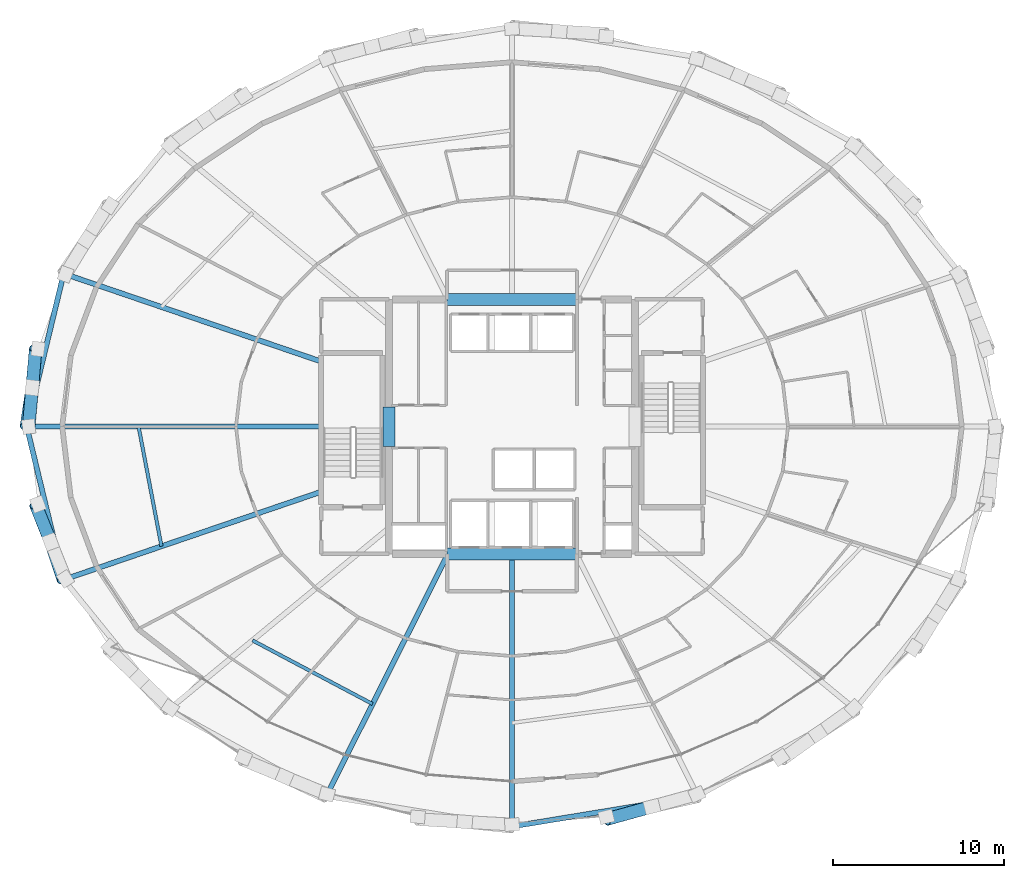
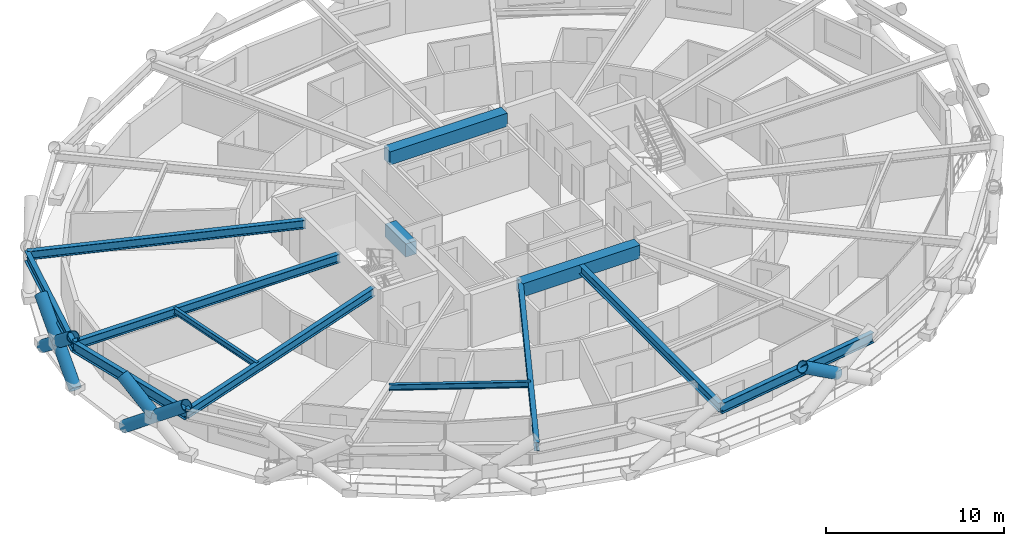
# One storey, part 5 of 20: 13 beams, 6 members.
"""IFC4 building model written with IfcOpenShell, lengths in metres."""

from ifc_helpers import new_model, si_unit, direction, frame, origin, origin_2d, place, context, subcontext, project, spatial, rectangle, hollow_circle, i_section, extrude, material, material_profile, profile_set, type_object, element, save


model = new_model("IFC4")

# Units and contexts
model_context = context("Model", 3, precision=1e-05, world=origin(), true_north=direction((0.0, 1.0)))
body_context = subcontext(model_context, "Body", "Model", "MODEL_VIEW")
ifc_project = project(units=[si_unit("LENGTHUNIT", "METRE"), si_unit("AREAUNIT", "SQUARE_METRE"), si_unit("VOLUMEUNIT", "CUBIC_METRE"), si_unit("PLANEANGLEUNIT", "RADIAN"), si_unit("MASSUNIT", "GRAM", prefix="KILO")], contexts=[model_context])

# Site, building, storey
site_placement = place(None, origin())
site = spatial("IfcSite", under=ifc_project, at=site_placement, CompositionType="ELEMENT")
building_placement = place(site_placement, origin())
building = spatial("IfcBuilding", under=site, at=building_placement, Name="Veldorina Hangang Commons", CompositionType="ELEMENT")
storey_placement = place(building_placement, frame((0.0, 0.0, 48.39990234375)))
storey = spatial("IfcBuildingStorey", under=building, at=storey_placement, Name="L11", CompositionType="ELEMENT", Elevation=48.39990234375)

# Beams
ifc_material_1 = material(Name="Concrete C70/85", Category="concrete")
ifc_material_profile_1 = material_profile(ifc_material_1, rectangle(XDim=0.699951171875, YDim=0.89990234375, at=origin_2d()), Name="RC-CB-700x900")
ifc_profile_set_1 = profile_set([ifc_material_profile_1], Name="Concrete C70/85")
beam_type_1 = type_object("IfcBeamType", Name="BM-CB900", PredefinedType="LINTEL", material=ifc_profile_set_1)
beam_1_placement = place(storey_placement, frame((24.800048828125, 22.85009765625, 2.89013671875), z_axis=(0.0, 1.0, 0.0), x_axis=(-1.0, 0.0, 0.0)))
element("IfcBeam", 1, at=beam_1_placement, inside=storey, type_object=beam_type_1, Name="L11 W core coupling lintel beam", PredefinedType="LINTEL", context=body_context, shape_type="SweptSolid", body=[
    extrude(rectangle(XDim=0.699951171875, YDim=0.89990234375, at=origin_2d()), origin(), (0.0, 0.0, 1.0), 2.2998046875),
])
for number, where, z_axis, x_axis, name in (
    (2, (28.199951171875, 16.550048828125, 2.89013671875), (1.0, 0.0, 0.0), (0.0, 1.0, 0.0), "L11 south core coupling beam"),
    (3, (28.199951171875, 31.449951171875, 2.89013671875), (1.0, 0.0, 0.0), (0.0, 1.0, 0.0), "L11 north core coupling beam"),
):
    element("IfcBeam", number, at=place(storey_placement, frame(where, z_axis=z_axis, x_axis=x_axis)), inside=storey, type_object=beam_type_1, Name=name, PredefinedType="LINTEL", context=body_context, shape_type="SweptSolid", body=[
        extrude(rectangle(XDim=0.699951171875, YDim=0.89990234375, at=origin_2d()), origin(), (0.0, 0.0, 1.0), 7.60009765625),
    ])
ifc_material_2 = material(Name="Steel SM460-TMC", Category="steel")
ifc_material_profile_2 = material_profile(ifc_material_2, i_section(OverallWidth=0.300048828125, OverallDepth=0.587890625, WebThickness=0.011962890625, FlangeThickness=0.02001953125, FilletRadius=0.01806640625, at=origin_2d()), Name="H-588x300x12x20")
ifc_profile_set_2 = profile_set([ifc_material_profile_2], Name="Steel SM460-TMC")
beam_type_2 = type_object("IfcBeamType", Name="BM-FG588", PredefinedType="BEAM", material=ifc_profile_set_2)
beam_2_placement = place(storey_placement, frame((20.820068359375, 27.81591796875, 3.046142578125), z_axis=(-0.946389646678, 0.323027300178, 0.0), x_axis=(-0.323027300178, -0.946389646678, 0.0)))
element("IfcBeam", 4, at=beam_2_placement, inside=storey, type_object=beam_type_2, Name="L11 radial floor girder 08", PredefinedType="BEAM", context=body_context, shape_type="SweptSolid", body=[
    extrude(i_section(OverallWidth=0.300048828125, OverallDepth=0.587890625, WebThickness=0.011962890625, FlangeThickness=0.02001953125, FilletRadius=0.01806640625, at=origin_2d()), origin(), (0.0, 0.0, 1.0), 15.9228515625),
])
beam_3_placement = place(storey_placement, frame((20.820068359375, 24.0, 3.046142578125), z_axis=(-1.0, 0.0, 0.0), x_axis=(0.0, -1.0, 0.0)))
element("IfcBeam", 5, at=beam_3_placement, inside=storey, type_object=beam_type_2, Name="L11 radial floor girder 09", PredefinedType="BEAM", context=body_context, shape_type="SweptSolid", body=[
    extrude(i_section(OverallWidth=0.300048828125, OverallDepth=0.587890625, WebThickness=0.011962890625, FlangeThickness=0.02001953125, FilletRadius=0.01806640625, at=origin_2d()), origin(), (0.0, 0.0, 1.0), 17.232177734375),
])
beam_4_placement = place(storey_placement, frame((20.820068359375, 20.18408203125, 3.046142578125), z_axis=(-0.946389646678, -0.323027300178, 0.0), x_axis=(0.323027300178, -0.946389646678, 0.0)))
element("IfcBeam", 6, at=beam_4_placement, inside=storey, type_object=beam_type_2, Name="L11 radial floor girder 10", PredefinedType="BEAM", context=body_context, shape_type="SweptSolid", body=[
    extrude(i_section(OverallWidth=0.300048828125, OverallDepth=0.587890625, WebThickness=0.011962890625, FlangeThickness=0.02001953125, FilletRadius=0.01806640625, at=origin_2d()), origin(), (0.0, 0.0, 1.0), 15.9228515625),
])
beam_5_placement = place(storey_placement, frame((28.255126953125, 16.550048828125, 3.046142578125), z_axis=(-0.449126234863, -0.893468312341, 0.0), x_axis=(0.893468312341, -0.449126234863, 0.0)))
element("IfcBeam", 7, at=beam_5_placement, inside=storey, type_object=beam_type_2, Name="L11 radial floor girder 12", PredefinedType="BEAM", context=body_context, shape_type="SweptSolid", body=[
    extrude(i_section(OverallWidth=0.300048828125, OverallDepth=0.587890625, WebThickness=0.011962890625, FlangeThickness=0.02001953125, FilletRadius=0.01806640625, at=origin_2d()), origin(), (0.0, 0.0, 1.0), 15.87060546875),
])
beam_6_placement = place(storey_placement, frame((32.0, 16.550048828125, 3.046142578125), z_axis=(0.0, -1.0, 0.0), x_axis=(1.0, 0.0, 0.0)))
element("IfcBeam", 8, at=beam_6_placement, inside=storey, type_object=beam_type_2, Name="L11 radial floor girder 13", PredefinedType="BEAM", context=body_context, shape_type="SweptSolid", body=[
    extrude(i_section(OverallWidth=0.300048828125, OverallDepth=0.587890625, WebThickness=0.011962890625, FlangeThickness=0.02001953125, FilletRadius=0.01806640625, at=origin_2d()), origin(), (0.0, 0.0, 1.0), 15.962158203125),
])
ifc_material_3 = material(Name="Steel SM355-TMC", Category="steel")
ifc_material_profile_3 = material_profile(ifc_material_3, i_section(OverallWidth=0.199951171875, OverallDepth=0.39990234375, WebThickness=0.008056640625, FlangeThickness=0.012939453125, FilletRadius=0.012939453125, at=origin_2d()), Name="H-400x200x8x13")
ifc_profile_set_3 = profile_set([ifc_material_profile_3], Name="Steel SM355-TMC")
beam_type_3 = type_object("IfcBeamType", Name="BM-JST400", PredefinedType="JOIST", material=ifc_profile_set_3)
beam_7_placement = place(storey_placement, frame((10.13623046875, 24.0, 3.14013671875), z_axis=(0.187999203281, -0.982169180725, 0.0), x_axis=(0.982169180725, 0.187999203281, 0.0)))
element("IfcBeam", 9, at=beam_7_placement, inside=storey, type_object=beam_type_3, Name="L11 secondary floor joist 09", PredefinedType="JOIST", context=body_context, shape_type="SweptSolid", body=[
    extrude(i_section(OverallWidth=0.199951171875, OverallDepth=0.39990234375, WebThickness=0.008056640625, FlangeThickness=0.012939453125, FilletRadius=0.012939453125, at=origin_2d()), origin(), (0.0, 0.0, 1.0), 7.132080078125),
])
beam_8_placement = place(storey_placement, frame((16.80810546875, 11.4814453125, 3.14013671875), z_axis=(0.883662434707, -0.468124664473, 0.0), x_axis=(0.468124664473, 0.883662434707, 0.0)))
element("IfcBeam", 10, at=beam_8_placement, inside=storey, type_object=beam_type_3, Name="L11 secondary floor joist 11", PredefinedType="JOIST", context=body_context, shape_type="SweptSolid", body=[
    extrude(i_section(OverallWidth=0.199951171875, OverallDepth=0.39990234375, WebThickness=0.008056640625, FlangeThickness=0.012939453125, FilletRadius=0.012939453125, at=origin_2d()), origin(), (0.0, 0.0, 1.0), 7.952880859375),
])
ifc_material_profile_4 = material_profile(ifc_material_2, i_section(OverallWidth=0.300048828125, OverallDepth=0.699951171875, WebThickness=0.012939453125, FlangeThickness=0.02392578125, FilletRadius=0.02197265625, at=origin_2d()), Name="H-700x300x13x24")
ifc_profile_set_4 = profile_set([ifc_material_profile_4], Name="Steel SM460-TMC")
beam_type_4 = type_object("IfcBeamType", Name="BM-RB700", PredefinedType="BEAM", material=ifc_profile_set_4)
for number, where, z_axis, x_axis, name in (
    (11, (5.750732421875, 32.95947265625, 2.989990234375), (-0.234662110802, -0.97207699991, 0.0), (0.97207699991, -0.234662110802, 0.0), "L11 perimeter hoop ring beam 14"),
    (12, (3.587890625, 24.0, 2.989990234375), (0.234662110802, -0.97207699991, 0.0), (0.97207699991, 0.234662110802, 0.0), "L11 perimeter hoop ring beam 16"),
):
    element("IfcBeam", number, at=place(storey_placement, frame(where, z_axis=z_axis, x_axis=x_axis)), inside=storey, type_object=beam_type_4, Name=name, PredefinedType="BEAM", context=body_context, shape_type="SweptSolid", body=[
        extrude(i_section(OverallWidth=0.300048828125, OverallDepth=0.699951171875, WebThickness=0.012939453125, FlangeThickness=0.02392578125, FilletRadius=0.02197265625, at=origin_2d()), origin(), (0.0, 0.0, 1.0), 9.216796875),
    ])
beam_9_placement = place(storey_placement, frame((32.0, 0.587890625, 2.989990234375), z_axis=(0.98683056452, 0.161757339643, 0.0), x_axis=(-0.161757339643, 0.98683056452, 0.0)))
element("IfcBeam", 13, at=beam_9_placement, inside=storey, type_object=beam_type_4, Name="L11 perimeter hoop ring beam 24", PredefinedType="BEAM", context=body_context, shape_type="SweptSolid", body=[
    extrude(i_section(OverallWidth=0.300048828125, OverallDepth=0.699951171875, WebThickness=0.012939453125, FlangeThickness=0.02392578125, FilletRadius=0.02197265625, at=origin_2d()), origin(), (0.0, 0.0, 1.0), 11.017822265625),
])

# Members
ifc_material_profile_5 = material_profile(ifc_material_2, hollow_circle(Radius=0.375, WallThickness=0.035888671875, at=origin_2d()), Name="CHS-750x36")
ifc_profile_set_5 = profile_set([ifc_material_profile_5], Name="Steel SM460-TMC")
member_type = type_object("IfcMemberType", Name="DG-CHS750", PredefinedType="BRACE", material=ifc_profile_set_5)
member_1_placement = place(storey_placement, frame((4.24560546875, 28.545166015625, 0.0), z_axis=(-0.116632736855, -0.778541291514, 0.616660572845), x_axis=(0.988964000441, -0.148156018544, 0.0)))
element("IfcMember", 14, at=member_1_placement, inside=storey, type_object=member_type, Name="L11 continuous perimeter diagrid brace 15", PredefinedType="BRACE", context=body_context, shape_type="SweptSolid", body=[
    extrude(hollow_circle(Radius=0.375, WallThickness=0.035888671875, at=origin_2d()), origin(), (0.0, 0.0, 1.0), 5.838134765625),
])
member_2_placement = place(storey_placement, frame((3.701904296875, 24.0, 0.0), z_axis=(0.07026455525, 0.783739411963, 0.617102444017), x_axis=(-0.996005239024, 0.089294814167, 0.0)))
element("IfcMember", 15, at=member_2_placement, inside=storey, type_object=member_type, Name="L11 split perimeter diagrid lower brace 16", PredefinedType="BRACE", context=body_context, shape_type="SweptSolid", body=[
    extrude(hollow_circle(Radius=0.375, WallThickness=0.035888671875, at=origin_2d()), origin(), (0.0, 0.0, 1.0), 2.908203125),
])
member_3_placement = place(storey_placement, frame((3.90625, 26.279296875, 1.794677734375), z_axis=(0.070018650409, 0.783724846233, 0.617148891267), x_axis=(-0.996032838572, 0.088986428662, 0.0)))
element("IfcMember", 16, at=member_3_placement, inside=storey, type_object=member_type, Name="L11 split perimeter diagrid upper brace 16", PredefinedType="BRACE", context=body_context, shape_type="SweptSolid", body=[
    extrude(hollow_circle(Radius=0.375, WallThickness=0.035888671875, at=origin_2d()), origin(), (0.0, 0.0, 1.0), 2.925537109375),
])
member_4_placement = place(storey_placement, frame((4.24560546875, 19.454833984375, 0.0), z_axis=(0.251769980497, -0.750586923919, 0.610926465757), x_axis=(0.948085033743, 0.318016931614, 0.0)))
element("IfcMember", 17, at=member_4_placement, inside=storey, type_object=member_type, Name="L11 continuous perimeter diagrid brace 17", PredefinedType="BRACE", context=body_context, shape_type="SweptSolid", body=[
    extrude(hollow_circle(Radius=0.375, WallThickness=0.035888671875, at=origin_2d()), origin(), (0.0, 0.0, 1.0), 5.892822265625),
])
member_5_placement = place(storey_placement, frame((4.9853515625, 17.24951171875, 1.794921875), z_axis=(-0.295240714308, 0.735669615687, 0.609609003518), x_axis=(-0.928052887909, -0.372448435683, 0.0)))
element("IfcMember", 18, at=member_5_placement, inside=storey, type_object=member_type, Name="L11 split perimeter diagrid upper brace 18", PredefinedType="BRACE", context=body_context, shape_type="SweptSolid", body=[
    extrude(hollow_circle(Radius=0.375, WallThickness=0.035888671875, at=origin_2d()), origin(), (0.0, 0.0, 1.0), 2.961181640625),
])
member_6_placement = place(storey_placement, frame((40.194580078125, 1.747802734375, 1.795654296875), z_axis=(-0.805501084822, -0.222937264184, 0.5490600865), x_axis=(0.266740644841, -0.963768347888, 0.0)))
element("IfcMember", 19, at=member_6_placement, inside=storey, type_object=member_type, Name="L11 split perimeter diagrid upper brace 26", PredefinedType="BRACE", context=body_context, shape_type="SweptSolid", body=[
    extrude(hollow_circle(Radius=0.375, WallThickness=0.035888671875, at=origin_2d()), origin(), (0.0, 0.0, 1.0), 3.286376953125),
])

save(model, "model.ifc")
